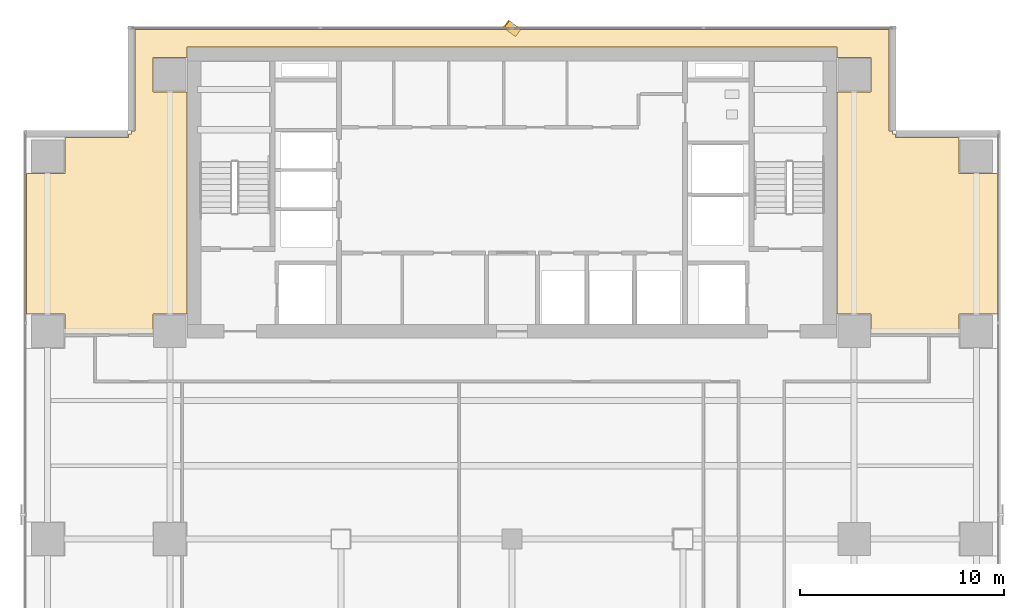
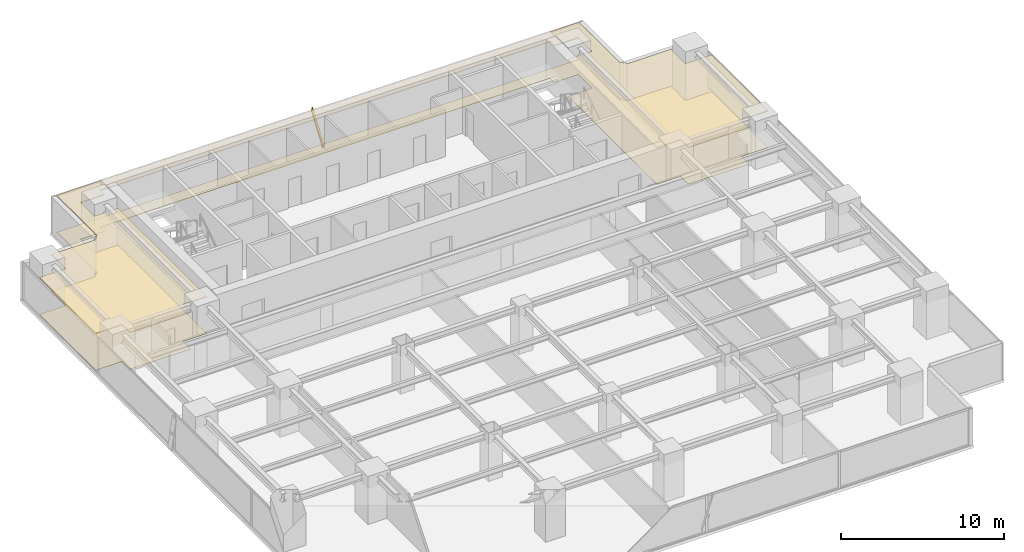
# One storey, part 25 of 27: 2 coverings, 1 shading device.
"""IFC4 building model written with IfcOpenShell, lengths in metres."""

import ifcopenshell
import ifcopenshell.guid

model = None  # the IFC model being written
_history = None  # IfcOwnerHistory: only IFC2X3 demands one
_inside = {}  # id of a spatial element -> (the spatial element, [elements in it])
_under = {}  # id of a project, library or spatial element -> (it, [spatial elements below it])
_declared = {}  # id of a project -> (the project, [libraries it declares])
_typed = {}  # id of a type object -> (the type object, [elements of that type])
_made_of = {}  # id of a material, layer set ... -> (it, [elements and type objects made of it])


def new_model(schema):
    """Start an empty IFC model of exactly this schema.

    Asked for "IFC4X3", IfcOpenShell would pick the latest addendum, in which some entities
    have other attributes; the version numbers below select the first issue.
    IFC2X3 requires an IfcOwnerHistory on every rooted entity: one is made here for all.
    """
    global model, _history
    if schema == "IFC4X3":
        model = ifcopenshell.file(schema_version=(4, 3, 0, 0))
    else:
        model = ifcopenshell.file(schema=schema)
    _inside.clear()
    _under.clear()
    _declared.clear()
    _typed.clear()
    _made_of.clear()
    _history = None
    if model.schema == "IFC2X3":
        org = make("IfcOrganization", Name="unknown")
        user = make(
            "IfcPersonAndOrganization",
            ThePerson=make("IfcPerson", FamilyName="unknown"),
            TheOrganization=org,
        )
        app = make(
            "IfcApplication",
            ApplicationDeveloper=org,
            Version="unknown",
            ApplicationFullName="unknown",
            ApplicationIdentifier="unknown",
        )
        _history = make(
            "IfcOwnerHistory",
            OwningUser=user,
            OwningApplication=app,
            ChangeAction="ADDED",
            CreationDate=0,
        )
    return model


def make(cls, **values):
    """One entity of the class cls with the attributes given. An attribute that is None is left unset."""
    return model.create_entity(
        cls, **{name: value for name, value in values.items() if value is not None}
    )


def rooted(cls, **values):
    """An entity with a GlobalId (a new one), such as an element, a storey or a relation."""
    return make(cls, GlobalId=ifcopenshell.guid.new(), OwnerHistory=_history, **values)


def si_unit(unit_type, name, prefix=None):
    """IfcSIUnit, for example si_unit("LENGTHUNIT", "METRE", prefix="MILLI")."""
    return make("IfcSIUnit", UnitType=unit_type, Prefix=prefix, Name=name)


def assignment(units):
    """IfcUnitAssignment: the units of a project."""
    return None if units is None else make("IfcUnitAssignment", Units=units)


def point(xyz):
    """IfcCartesianPoint."""
    return None if xyz is None else make("IfcCartesianPoint", Coordinates=xyz)


def direction(xyz):
    """IfcDirection."""
    return None if xyz is None else make("IfcDirection", DirectionRatios=xyz)


def frame(location, z_axis=None, x_axis=None):
    """IfcAxis2Placement3D, a coordinate frame: its origin and axes. An axis left out is left unset."""
    return make(
        "IfcAxis2Placement3D",
        Location=point(location),
        Axis=direction(z_axis),
        RefDirection=direction(x_axis),
    )


def frame_2d(location, x_axis=None):
    """IfcAxis2Placement2D, a coordinate frame in the plane: its origin and x axis."""
    return make(
        "IfcAxis2Placement2D", Location=point(location), RefDirection=direction(x_axis)
    )


def origin():
    """The frame at (0, 0, 0) with its axes left unset."""
    return frame((0.0, 0.0, 0.0))


def origin_2d():
    """The frame at (0, 0) in the plane with its x axis left unset."""
    return frame_2d((0.0, 0.0))


def place(relative_to, where):
    """IfcLocalPlacement: puts the frame where relative to a parent placement (None: the world)."""
    return make(
        "IfcLocalPlacement", PlacementRelTo=relative_to, RelativePlacement=where
    )


def context(
    kind, dimensions, precision=None, world=None, true_north=None, identifier=None
):
    """IfcGeometricRepresentationContext, for example the 3D "Model" context."""
    return make(
        "IfcGeometricRepresentationContext",
        ContextIdentifier=identifier,
        ContextType=kind,
        CoordinateSpaceDimension=dimensions,
        Precision=precision,
        WorldCoordinateSystem=world,
        TrueNorth=true_north,
    )


def subcontext(parent, identifier, kind, view, scale=None):
    """IfcGeometricRepresentationSubContext, for example "Body" below "Model"."""
    return make(
        "IfcGeometricRepresentationSubContext",
        ContextIdentifier=identifier,
        ContextType=kind,
        ParentContext=parent,
        TargetScale=scale,
        TargetView=view,
    )


def project(units=None, contexts=None):
    """IfcProject with its units and contexts."""
    return rooted(
        "IfcProject",
        Name="project",
        RepresentationContexts=contexts,
        UnitsInContext=assignment(units),
    )


def spatial(cls, under=None, at=None, **own):
    """A site, building, storey or space (cls), placed at a placement, below another one or the project."""
    s = rooted(cls, ObjectPlacement=at, **own)
    if under is not None:
        _under.setdefault(under.id(), (under, []))[1].append(s)
    return s


def polyline(points):
    """IfcPolyline through the points."""
    return make("IfcPolyline", Points=[point(p) for p in points])


def profile(cls, at=None, kind="AREA", **sizes):
    """A parametric profile (cls). Its sizes go by their IFC names, for example OverallWidth=200.0."""
    return make(cls, ProfileType=kind, Position=at, **sizes)


def rectangle(**sizes):
    """IfcRectangleProfileDef."""
    return profile("IfcRectangleProfileDef", **sizes)


def outline(outer, holes=None, kind="AREA"):
    """IfcArbitraryClosedProfileDef: a profile drawn as a closed curve; with holes, ...WithVoids."""
    if holes is None:
        return make("IfcArbitraryClosedProfileDef", ProfileType=kind, OuterCurve=outer)
    return make(
        "IfcArbitraryProfileDefWithVoids",
        ProfileType=kind,
        OuterCurve=outer,
        InnerCurves=holes,
    )


def extrude(swept, where, along, depth):
    """IfcExtrudedAreaSolid: the profile swept, set in the frame where, extruded along a direction by depth."""
    return make(
        "IfcExtrudedAreaSolid",
        SweptArea=swept,
        Position=where,
        ExtrudedDirection=direction(along),
        Depth=depth,
    )


def shape(context_of_items, identifier, shape_type, items):
    """IfcShapeRepresentation: the items that make up one representation, for example the "Body"."""
    return make(
        "IfcShapeRepresentation",
        ContextOfItems=context_of_items,
        RepresentationIdentifier=identifier,
        RepresentationType=shape_type,
        Items=items,
    )


def source(mapping_origin, context_of_items, identifier, shape_type, items):
    """IfcRepresentationMap: a shape defined once, which mapped items show again and again."""
    return make(
        "IfcRepresentationMap",
        MappingOrigin=mapping_origin,
        MappedRepresentation=shape(context_of_items, identifier, shape_type, items),
    )


def transform(
    local_origin,
    x_axis=None,
    y_axis=None,
    z_axis=None,
    scale=None,
    scale2=None,
    scale3=None,
    uniform=True,
):
    """IfcCartesianTransformationOperator3D, or its non-uniform kind. x_axis, y_axis, z_axis: its Axis1, 2, 3."""
    if uniform:
        return make(
            "IfcCartesianTransformationOperator3D",
            Axis1=direction(x_axis),
            Axis2=direction(y_axis),
            LocalOrigin=point(local_origin),
            Scale=scale,
            Axis3=direction(z_axis),
        )
    return make(
        "IfcCartesianTransformationOperator3DnonUniform",
        Axis1=direction(x_axis),
        Axis2=direction(y_axis),
        LocalOrigin=point(local_origin),
        Scale=scale,
        Axis3=direction(z_axis),
        Scale2=scale2,
        Scale3=scale3,
    )


def mapped(mapping_source, mapping_target):
    """IfcMappedItem: shows the shape of a source again, moved by a transform."""
    return make(
        "IfcMappedItem", MappingSource=mapping_source, MappingTarget=mapping_target
    )


def material(Name=None, Category=None):
    """IfcMaterial."""
    return make("IfcMaterial", Name=Name, Category=Category)


def layer(
    of_material, thickness, ventilated=None, Name=None, Category=None, Priority=None
):
    """IfcMaterialLayer: one layer of a wall or slab, of a material (None: an air gap)."""
    return make(
        "IfcMaterialLayer",
        Material=of_material,
        LayerThickness=thickness,
        IsVentilated=ventilated,
        Name=Name,
        Category=Category,
        Priority=Priority,
    )


def layer_set(layers, Name=None):
    """IfcMaterialLayerSet."""
    return make("IfcMaterialLayerSet", MaterialLayers=layers, LayerSetName=Name)


def material_profile(
    of_material, cross_section, Name=None, Category=None, Priority=None
):
    """IfcMaterialProfile: a cross section and its material."""
    return make(
        "IfcMaterialProfile",
        Name=Name,
        Material=of_material,
        Profile=cross_section,
        Priority=Priority,
        Category=Category,
    )


def profile_set(profiles, Name=None, composite=None):
    """IfcMaterialProfileSet."""
    return make(
        "IfcMaterialProfileSet",
        Name=Name,
        MaterialProfiles=profiles,
        CompositeProfile=composite,
    )


def made_of(thing, what):
    """Note that an element or type object is made of a material, layer set ...; save() writes the relation."""
    if what is not None:
        _made_of.setdefault(what.id(), (what, []))[1].append(thing)
    return thing


def type_object(cls, material=None, **own):
    """A type object (cls), such as IfcWallType, which elements share."""
    return made_of(rooted(cls, **own), material)


def element(
    cls,
    number,
    at=None,
    inside=None,
    cuts=None,
    type_object=None,
    material=None,
    context=None,
    identifier="Body",
    shape_type=None,
    held_by="IfcProductDefinitionShape",
    body=None,
    shapes=None,
    **own,
):
    """One element of the class cls, such as IfcWall. Its Tag is "e" and its number.

    at: its placement. inside: the storey or other place that contains it. cuts: it is an
    opening in that element (IfcRelVoidsElement). A single representation is given by context,
    identifier, shape_type and body (its items); several are given by shapes. held_by: the class
    of the entity that holds the representations. save() writes the other relations.
    """
    e = rooted(cls, Tag="e%d" % number, ObjectPlacement=at, **own)
    if body is not None:
        shapes = [shape(context, identifier, shape_type, body)]
    if shapes is not None:
        e.Representation = make(held_by, Representations=shapes)
    if inside is not None:
        _inside.setdefault(inside.id(), (inside, []))[1].append(e)
    if cuts is not None:
        rooted(
            "IfcRelVoidsElement", RelatingBuildingElement=cuts, RelatedOpeningElement=e
        )
    if type_object is not None:
        _typed.setdefault(type_object.id(), (type_object, []))[1].append(e)
    return made_of(e, material)


def aggregate(whole, parts):
    """IfcRelAggregates: a whole, such as a stair, and the parts it consists of."""
    return rooted("IfcRelAggregates", RelatingObject=whole, RelatedObjects=parts)


def save(model, path):
    """Write the relations noted so far, then the file.

    IfcRelAggregates (storeys below a building ...), IfcRelContainedInSpatialStructure (elements
    in a storey), IfcRelDefinesByType, IfcRelAssociatesMaterial and IfcRelDeclares: one each for
    every whole, place, type object, material and project.
    """
    for whole, parts in _under.values():
        aggregate(whole, parts)
    for where, things in _inside.values():
        rooted(
            "IfcRelContainedInSpatialStructure",
            RelatedElements=things,
            RelatingStructure=where,
        )
    for kind, things in _typed.values():
        rooted("IfcRelDefinesByType", RelatedObjects=things, RelatingType=kind)
    for what, things in _made_of.values():
        rooted("IfcRelAssociatesMaterial", RelatedObjects=things, RelatingMaterial=what)
    for by, libraries in _declared.values():
        rooted("IfcRelDeclares", RelatingContext=by, RelatedDefinitions=libraries)
    model.write(path)


model = new_model("IFC4")

# Units and contexts
model_context = context("Model", 3, precision=1e-05, world=origin(), true_north=direction((0.0, 1.0)))
body_context = subcontext(model_context, "Body", "Model", "MODEL_VIEW")
ifc_project = project(units=[si_unit("LENGTHUNIT", "METRE"), si_unit("AREAUNIT", "SQUARE_METRE"), si_unit("VOLUMEUNIT", "CUBIC_METRE"), si_unit("PLANEANGLEUNIT", "RADIAN"), si_unit("MASSUNIT", "GRAM", prefix="KILO")], contexts=[model_context])

# Site, building, storey
site_placement = place(None, origin())
site = spatial("IfcSite", under=ifc_project, at=site_placement, CompositionType="ELEMENT")
building_placement = place(site_placement, origin())
building = spatial("IfcBuilding", under=site, at=building_placement, Name="Sumidabori Civic Tower", CompositionType="ELEMENT")
storey_placement = place(building_placement, frame((0.0, 0.0, 142.39990234375)))
storey = spatial("IfcBuildingStorey", under=building, at=storey_placement, Name="L36", CompositionType="ELEMENT", Elevation=142.39990234375)

# Coverings
ifc_material_1 = material(Name="Gypsum Coffered Acoustic Ceiling")
ifc_layer_1 = layer(ifc_material_1, 0.06494140625, Name="Gypsum Coffered Acoustic Ceiling")
ifc_layer_set_1 = layer_set([ifc_layer_1], Name="Gypsum Coffered Acoustic Ceiling")
covering_type_1 = type_object("IfcCoveringType", Name="CV-CEIL-AC4", PredefinedType="CEILING", material=ifc_layer_set_1)
covering_1_placement = place(storey_placement, frame((0.0, 0.0, 2.72998046875)))
element("IfcCovering", 1, at=covering_1_placement, inside=storey, type_object=covering_type_1, Name="Room Acoustic Ceiling L36-01", PredefinedType="CEILING", context=body_context, shape_type="SweptSolid", body=[
    extrude(outline(polyline([(-23.830078125, 17.9599609375), (-21.9599609375, 17.9599609375), (-21.9599609375, 19.721923828125), (-18.842041015625, 19.721923828125), (-18.842041015625, 19.8798828125), (-18.679931640625, 19.8798828125), (-18.679931640625, 20.0419921875), (-18.52197265625, 20.0419921875), (-18.52197265625, 25.030029296875), (18.52197265625, 25.030029296875), (18.52197265625, 20.0419921875), (18.679931640625, 20.0419921875), (18.679931640625, 19.8798828125), (18.842041015625, 19.8798828125), (18.842041015625, 19.721923828125), (21.9599609375, 19.721923828125), (21.9599609375, 17.9599609375), (23.830078125, 17.9599609375), (23.830078125, 11.0400390625), (21.9599609375, 11.0400390625), (21.9599609375, 10.080078125), (20.5400390625, 10.080078125), (20.5400390625, 10.090087890625), (17.639892578125, 10.090087890625), (17.639892578125, 11.0400390625), (15.952880859375, 11.0400390625), (15.952880859375, 21.9599609375), (17.639892578125, 21.9599609375), (17.639892578125, 23.639892578125), (15.952880859375, 23.639892578125), (15.952880859375, 24.153076171875), (-15.952880859375, 24.153076171875), (-15.952880859375, 23.639892578125), (-17.639892578125, 23.639892578125), (-17.639892578125, 21.9599609375), (-15.952880859375, 21.9599609375), (-15.952880859375, 11.0400390625), (-17.639892578125, 11.0400390625), (-17.639892578125, 10.090087890625), (-20.5400390625, 10.090087890625), (-20.5400390625, 10.080078125), (-21.9599609375, 10.080078125), (-21.9599609375, 11.0400390625), (-23.830078125, 11.0400390625), (-23.830078125, 17.9599609375)])), origin(), (0.0, 0.0, 1.0), 0.065185546875),
])
ifc_material_2 = material(Name="Honed Terrazzo Tile Flooring")
ifc_layer_2 = layer(ifc_material_2, 0.030029296875, Name="Honed Terrazzo Tile Flooring")
ifc_layer_set_2 = layer_set([ifc_layer_2], Name="Honed Terrazzo Tile Flooring")
covering_type_2 = type_object("IfcCoveringType", Name="CV-FLR-TER", PredefinedType="FLOORING", material=ifc_layer_set_2)
covering_2_placement = place(storey_placement, origin())
element("IfcCovering", 2, at=covering_2_placement, inside=storey, type_object=covering_type_2, Name="Room Terrazzo Floor L36-01", PredefinedType="FLOORING", context=body_context, shape_type="SweptSolid", body=[
    extrude(outline(polyline([(-23.830078125, 17.9599609375), (-21.9599609375, 17.9599609375), (-21.9599609375, 19.721923828125), (-18.842041015625, 19.721923828125), (-18.842041015625, 19.8798828125), (-18.679931640625, 19.8798828125), (-18.679931640625, 20.0419921875), (-18.52197265625, 20.0419921875), (-18.52197265625, 25.030029296875), (18.52197265625, 25.030029296875), (18.52197265625, 20.0419921875), (18.679931640625, 20.0419921875), (18.679931640625, 19.8798828125), (18.842041015625, 19.8798828125), (18.842041015625, 19.721923828125), (21.9599609375, 19.721923828125), (21.9599609375, 17.9599609375), (23.830078125, 17.9599609375), (23.830078125, 11.0400390625), (21.9599609375, 11.0400390625), (21.9599609375, 10.080078125), (20.5400390625, 10.080078125), (20.5400390625, 10.090087890625), (17.639892578125, 10.090087890625), (17.639892578125, 11.0400390625), (15.952880859375, 11.0400390625), (15.952880859375, 21.9599609375), (17.639892578125, 21.9599609375), (17.639892578125, 23.639892578125), (15.952880859375, 23.639892578125), (15.952880859375, 24.153076171875), (-15.952880859375, 24.153076171875), (-15.952880859375, 23.639892578125), (-17.639892578125, 23.639892578125), (-17.639892578125, 21.9599609375), (-15.952880859375, 21.9599609375), (-15.952880859375, 11.0400390625), (-17.639892578125, 11.0400390625), (-17.639892578125, 10.090087890625), (-20.5400390625, 10.090087890625), (-20.5400390625, 10.080078125), (-21.9599609375, 10.080078125), (-21.9599609375, 11.0400390625), (-23.830078125, 11.0400390625), (-23.830078125, 17.9599609375)])), origin(), (0.0, 0.0, 1.0), 0.030029296875),
])

# Shading device
ifc_material_3 = material(Name="Anodised Bronze Aluminium AW-6063-T6", Category="aluminium")
ifc_material_profile = material_profile(ifc_material_3, rectangle(XDim=0.06005859375, YDim=0.449951171875, at=origin_2d()), Name="BRONZE FIN 450x60")
ifc_profile_set = profile_set([ifc_material_profile], Name="Anodised Bronze Aluminium AW-6063-T6")
shading_device_type = type_object("IfcShadingDeviceType", Name="SH-FIN-450", PredefinedType="USERDEFINED", material=ifc_profile_set)
shared_shape = source(origin(), body_context, "Body", "SweptSolid", [
    extrude(rectangle(XDim=0.06005859375, YDim=0.449951171875, at=origin_2d()), origin(), (0.0, 0.0, 1.0), 2.78955078125),
])
shading_device_placement = place(storey_placement, frame((0.280029296875, 24.8701171875, 0.02001953125), z_axis=(-0.20077712468, 0.150539082149, 0.968001307308), x_axis=(0.774482065205, -0.580692742874, 0.250945151476)))
element("IfcShadingDevice", 3, at=shading_device_placement, inside=storey, type_object=shading_device_type, Name="Bronze Anodised Diagonal Fin L36-02", ObjectType="FIN", PredefinedType="USERDEFINED", context=body_context, shape_type="MappedRepresentation", body=[
    mapped(shared_shape, transform((0.0, 0.0, 0.0), x_axis=(1.0, 0.0, 0.0), y_axis=(0.0, 1.0, 0.0), z_axis=(0.0, 0.0, 1.0), scale=1.0)),
])

save(model, "model.ifc")
